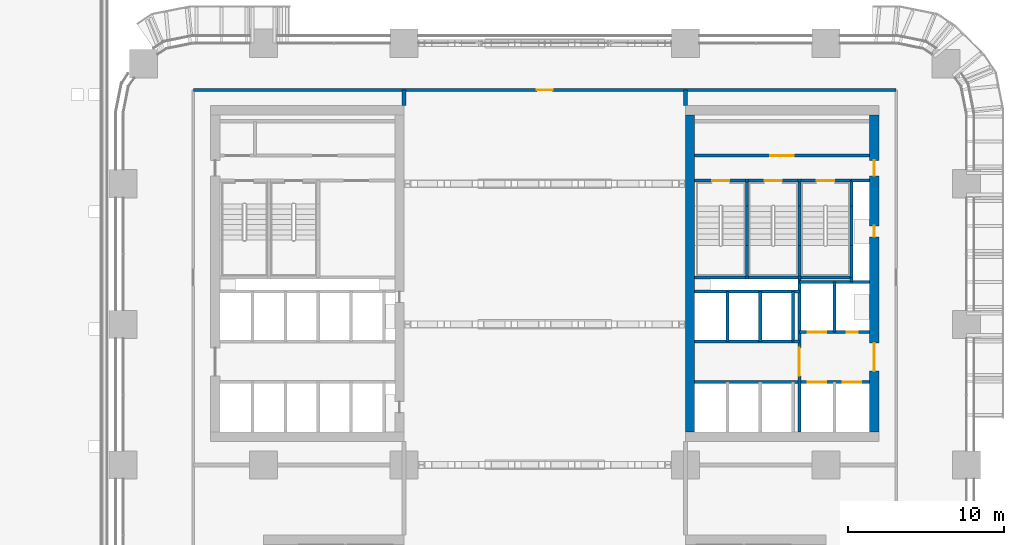
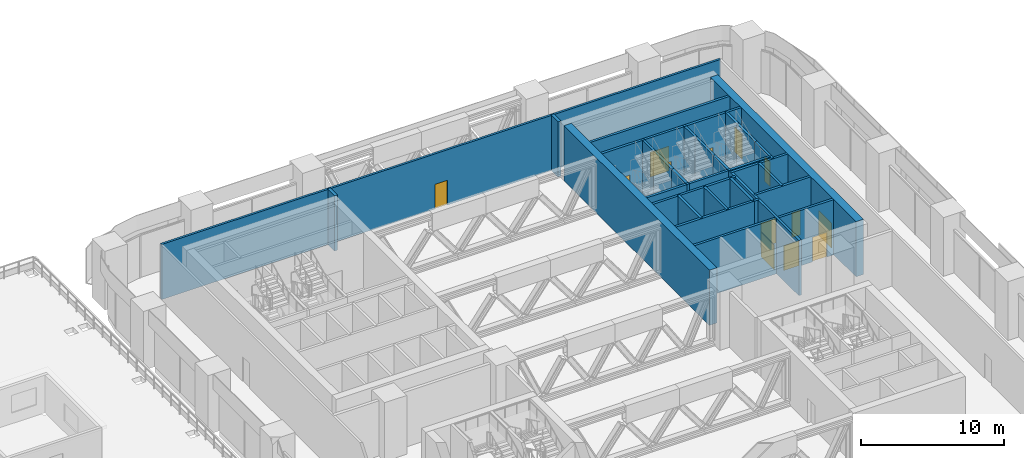
# One storey, part 25 of 35: 38 walls, 13 doors, 13 openings.
"""IFC4 building model written with IfcOpenShell, lengths in metres."""

import ifcopenshell
import ifcopenshell.guid

model = None  # the IFC model being written
_history = None  # IfcOwnerHistory: only IFC2X3 demands one
_inside = {}  # id of a spatial element -> (the spatial element, [elements in it])
_under = {}  # id of a project, library or spatial element -> (it, [spatial elements below it])
_declared = {}  # id of a project -> (the project, [libraries it declares])
_typed = {}  # id of a type object -> (the type object, [elements of that type])
_made_of = {}  # id of a material, layer set ... -> (it, [elements and type objects made of it])


def new_model(schema):
    """Start an empty IFC model of exactly this schema.

    Asked for "IFC4X3", IfcOpenShell would pick the latest addendum, in which some entities
    have other attributes; the version numbers below select the first issue.
    IFC2X3 requires an IfcOwnerHistory on every rooted entity: one is made here for all.
    """
    global model, _history
    if schema == "IFC4X3":
        model = ifcopenshell.file(schema_version=(4, 3, 0, 0))
    else:
        model = ifcopenshell.file(schema=schema)
    _inside.clear()
    _under.clear()
    _declared.clear()
    _typed.clear()
    _made_of.clear()
    _history = None
    if model.schema == "IFC2X3":
        org = make("IfcOrganization", Name="unknown")
        user = make(
            "IfcPersonAndOrganization",
            ThePerson=make("IfcPerson", FamilyName="unknown"),
            TheOrganization=org,
        )
        app = make(
            "IfcApplication",
            ApplicationDeveloper=org,
            Version="unknown",
            ApplicationFullName="unknown",
            ApplicationIdentifier="unknown",
        )
        _history = make(
            "IfcOwnerHistory",
            OwningUser=user,
            OwningApplication=app,
            ChangeAction="ADDED",
            CreationDate=0,
        )
    return model


def make(cls, **values):
    """One entity of the class cls with the attributes given. An attribute that is None is left unset."""
    return model.create_entity(
        cls, **{name: value for name, value in values.items() if value is not None}
    )


def rooted(cls, **values):
    """An entity with a GlobalId (a new one), such as an element, a storey or a relation."""
    return make(cls, GlobalId=ifcopenshell.guid.new(), OwnerHistory=_history, **values)


def si_unit(unit_type, name, prefix=None):
    """IfcSIUnit, for example si_unit("LENGTHUNIT", "METRE", prefix="MILLI")."""
    return make("IfcSIUnit", UnitType=unit_type, Prefix=prefix, Name=name)


def assignment(units):
    """IfcUnitAssignment: the units of a project."""
    return None if units is None else make("IfcUnitAssignment", Units=units)


def point(xyz):
    """IfcCartesianPoint."""
    return None if xyz is None else make("IfcCartesianPoint", Coordinates=xyz)


def direction(xyz):
    """IfcDirection."""
    return None if xyz is None else make("IfcDirection", DirectionRatios=xyz)


def frame(location, z_axis=None, x_axis=None):
    """IfcAxis2Placement3D, a coordinate frame: its origin and axes. An axis left out is left unset."""
    return make(
        "IfcAxis2Placement3D",
        Location=point(location),
        Axis=direction(z_axis),
        RefDirection=direction(x_axis),
    )


def frame_2d(location, x_axis=None):
    """IfcAxis2Placement2D, a coordinate frame in the plane: its origin and x axis."""
    return make(
        "IfcAxis2Placement2D", Location=point(location), RefDirection=direction(x_axis)
    )


def origin():
    """The frame at (0, 0, 0) with its axes left unset."""
    return frame((0.0, 0.0, 0.0))


def place(relative_to, where):
    """IfcLocalPlacement: puts the frame where relative to a parent placement (None: the world)."""
    return make(
        "IfcLocalPlacement", PlacementRelTo=relative_to, RelativePlacement=where
    )


def context(
    kind, dimensions, precision=None, world=None, true_north=None, identifier=None
):
    """IfcGeometricRepresentationContext, for example the 3D "Model" context."""
    return make(
        "IfcGeometricRepresentationContext",
        ContextIdentifier=identifier,
        ContextType=kind,
        CoordinateSpaceDimension=dimensions,
        Precision=precision,
        WorldCoordinateSystem=world,
        TrueNorth=true_north,
    )


def subcontext(parent, identifier, kind, view, scale=None):
    """IfcGeometricRepresentationSubContext, for example "Body" below "Model"."""
    return make(
        "IfcGeometricRepresentationSubContext",
        ContextIdentifier=identifier,
        ContextType=kind,
        ParentContext=parent,
        TargetScale=scale,
        TargetView=view,
    )


def project(units=None, contexts=None):
    """IfcProject with its units and contexts."""
    return rooted(
        "IfcProject",
        Name="project",
        RepresentationContexts=contexts,
        UnitsInContext=assignment(units),
    )


def spatial(cls, under=None, at=None, **own):
    """A site, building, storey or space (cls), placed at a placement, below another one or the project."""
    s = rooted(cls, ObjectPlacement=at, **own)
    if under is not None:
        _under.setdefault(under.id(), (under, []))[1].append(s)
    return s


def profile(cls, at=None, kind="AREA", **sizes):
    """A parametric profile (cls). Its sizes go by their IFC names, for example OverallWidth=200.0."""
    return make(cls, ProfileType=kind, Position=at, **sizes)


def rectangle(**sizes):
    """IfcRectangleProfileDef."""
    return profile("IfcRectangleProfileDef", **sizes)


def extrude(swept, where, along, depth):
    """IfcExtrudedAreaSolid: the profile swept, set in the frame where, extruded along a direction by depth."""
    return make(
        "IfcExtrudedAreaSolid",
        SweptArea=swept,
        Position=where,
        ExtrudedDirection=direction(along),
        Depth=depth,
    )


def shape(context_of_items, identifier, shape_type, items):
    """IfcShapeRepresentation: the items that make up one representation, for example the "Body"."""
    return make(
        "IfcShapeRepresentation",
        ContextOfItems=context_of_items,
        RepresentationIdentifier=identifier,
        RepresentationType=shape_type,
        Items=items,
    )


def material(Name=None, Category=None):
    """IfcMaterial."""
    return make("IfcMaterial", Name=Name, Category=Category)


def layer(
    of_material, thickness, ventilated=None, Name=None, Category=None, Priority=None
):
    """IfcMaterialLayer: one layer of a wall or slab, of a material (None: an air gap)."""
    return make(
        "IfcMaterialLayer",
        Material=of_material,
        LayerThickness=thickness,
        IsVentilated=ventilated,
        Name=Name,
        Category=Category,
        Priority=Priority,
    )


def layer_set(layers, Name=None):
    """IfcMaterialLayerSet."""
    return make("IfcMaterialLayerSet", MaterialLayers=layers, LayerSetName=Name)


def made_of(thing, what):
    """Note that an element or type object is made of a material, layer set ...; save() writes the relation."""
    if what is not None:
        _made_of.setdefault(what.id(), (what, []))[1].append(thing)
    return thing


def type_object(cls, material=None, **own):
    """A type object (cls), such as IfcWallType, which elements share."""
    return made_of(rooted(cls, **own), material)


def element(
    cls,
    number,
    at=None,
    inside=None,
    cuts=None,
    type_object=None,
    material=None,
    context=None,
    identifier="Body",
    shape_type=None,
    held_by="IfcProductDefinitionShape",
    body=None,
    shapes=None,
    **own,
):
    """One element of the class cls, such as IfcWall. Its Tag is "e" and its number.

    at: its placement. inside: the storey or other place that contains it. cuts: it is an
    opening in that element (IfcRelVoidsElement). A single representation is given by context,
    identifier, shape_type and body (its items); several are given by shapes. held_by: the class
    of the entity that holds the representations. save() writes the other relations.
    """
    e = rooted(cls, Tag="e%d" % number, ObjectPlacement=at, **own)
    if body is not None:
        shapes = [shape(context, identifier, shape_type, body)]
    if shapes is not None:
        e.Representation = make(held_by, Representations=shapes)
    if inside is not None:
        _inside.setdefault(inside.id(), (inside, []))[1].append(e)
    if cuts is not None:
        rooted(
            "IfcRelVoidsElement", RelatingBuildingElement=cuts, RelatedOpeningElement=e
        )
    if type_object is not None:
        _typed.setdefault(type_object.id(), (type_object, []))[1].append(e)
    return made_of(e, material)


def fill(opening, filler):
    """IfcRelFillsElement: the door or window that sits in an opening."""
    return rooted(
        "IfcRelFillsElement",
        RelatingOpeningElement=opening,
        RelatedBuildingElement=filler,
    )


def aggregate(whole, parts):
    """IfcRelAggregates: a whole, such as a stair, and the parts it consists of."""
    return rooted("IfcRelAggregates", RelatingObject=whole, RelatedObjects=parts)


def save(model, path):
    """Write the relations noted so far, then the file.

    IfcRelAggregates (storeys below a building ...), IfcRelContainedInSpatialStructure (elements
    in a storey), IfcRelDefinesByType, IfcRelAssociatesMaterial and IfcRelDeclares: one each for
    every whole, place, type object, material and project.
    """
    for whole, parts in _under.values():
        aggregate(whole, parts)
    for where, things in _inside.values():
        rooted(
            "IfcRelContainedInSpatialStructure",
            RelatedElements=things,
            RelatingStructure=where,
        )
    for kind, things in _typed.values():
        rooted("IfcRelDefinesByType", RelatedObjects=things, RelatingType=kind)
    for what, things in _made_of.values():
        rooted("IfcRelAssociatesMaterial", RelatedObjects=things, RelatingMaterial=what)
    for by, libraries in _declared.values():
        rooted("IfcRelDeclares", RelatingContext=by, RelatedDefinitions=libraries)
    model.write(path)


model = new_model("IFC4")

# Units and contexts
model_context = context("Model", 3, precision=1e-05, world=origin(), true_north=direction((0.0, 1.0)))
body_context = subcontext(model_context, "Body", "Model", "MODEL_VIEW")
ifc_project = project(units=[si_unit("LENGTHUNIT", "METRE"), si_unit("AREAUNIT", "SQUARE_METRE"), si_unit("VOLUMEUNIT", "CUBIC_METRE"), si_unit("PLANEANGLEUNIT", "RADIAN"), si_unit("MASSUNIT", "GRAM", prefix="KILO")], contexts=[model_context])

# Site, building, storey
site_placement = place(None, origin())
site = spatial("IfcSite", under=ifc_project, at=site_placement, CompositionType="ELEMENT")
building_placement = place(site_placement, origin())
building = spatial("IfcBuilding", under=site, at=building_placement, Name="Tessera Arch", CompositionType="ELEMENT")
storey_placement = place(building_placement, frame((0.0, 0.0, 26.0)))
storey = spatial("IfcBuildingStorey", under=building, at=storey_placement, Name="L04", CompositionType="ELEMENT", Elevation=26.0)

# Wall
ifc_material_1 = material(Name="Gypsum board on steel stud", Category="steel")
ifc_layer_1 = layer(ifc_material_1, 0.125)
ifc_layer_set_1 = layer_set([ifc_layer_1], Name="Core partition 125 EI 60")
wall_type_1 = type_object("IfcWallType", Name="Core partition 125 EI 60", PredefinedType="PARTITIONING", material=ifc_layer_set_1)
wall_1_placement = place(storey_placement, frame((42.89990234375, 34.89990234375, 0.0), z_axis=(0.0, 0.0, 1.0), x_axis=(1.0, 0.0, 0.0)))
element("IfcWall", 1, at=wall_1_placement, inside=storey, type_object=wall_type_1, Name="L04 C1 partition wall 21", PredefinedType="PARTITIONING", context=body_context, shape_type="SweptSolid", body=[
    extrude(rectangle(XDim=0.400146484375, YDim=0.199951171875, at=frame_2d((0.2001953125, 0.0))), origin(), (0.0, 0.0, 1.0), 4.699951171875),
])

# Wall, opening, door
wall_2_placement = place(storey_placement, frame((36.60009765625, 46.800048828125, 0.0), z_axis=(0.0, 0.0, 1.0), x_axis=(1.0, 0.0, 0.0)))
wall_2 = element("IfcWall", 2, at=wall_2_placement, inside=storey, type_object=wall_type_1, Name="L04 C1 partition wall 37", PredefinedType="PARTITIONING", context=body_context, shape_type="SweptSolid", body=[
    extrude(rectangle(XDim=11.199951171875, YDim=0.199951171875, at=frame_2d((5.60009765625, 0.0))), origin(), (0.0, 0.0, 1.0), 4.699951171875),
])
opening_1_placement = place(wall_2_placement, frame((4.85009765625, 0.0, 0.0)))
opening_1 = element("IfcOpeningElement", 3, at=opening_1_placement, cuts=wall_2, Name="Opening L04-C12", PredefinedType="OPENING", context=body_context, shape_type="SweptSolid", body=[
    extrude(rectangle(XDim=1.5, YDim=2.10009765625, at=frame_2d((0.75, 1.050048828125))), frame((0.0, 0.10986328125, 0.0), z_axis=(0.0, -1.0, 0.0), x_axis=(1.0, 0.0, 0.0)), (0.0, 0.0, 1.0), 0.219970703125),
])
ifc_material_2 = material(Name="Steel door leaf", Category="steel")
door_type_1 = type_object("IfcDoorType", Name="Plant door FD60 1500 x 2100", OperationType="DOUBLE_DOOR_SINGLE_SWING", PredefinedType="DOOR", material=ifc_material_2)
door_1_placement = place(opening_1_placement, origin())
door_1 = element("IfcDoor", 4, at=door_1_placement, inside=storey, type_object=door_type_1, Name="L04 C1 door 12 C12 type D08", OperationType="DOUBLE_DOOR_SINGLE_SWING", OverallHeight=2.10009765625, OverallWidth=1.5, PredefinedType="DOOR", context=body_context, shape_type="SweptSolid", body=[
    extrude(rectangle(XDim=1.5, YDim=2.10009765625, at=frame_2d((0.75, 1.050048828125))), frame((0.0, 0.02490234375, 0.0), z_axis=(0.0, -1.0, 0.0), x_axis=(1.0, 0.0, 0.0)), (0.0, 0.0, 1.0), 0.050048828125),
])
fill(opening_1, door_1)

# Wall
ifc_material_3 = material(Name="Concrete C70/85", Category="concrete")
ifc_layer_2 = layer(ifc_material_3, 0.60009765625)
ifc_layer_set_2 = layer_set([ifc_layer_2], Name="Core shell wall 600 C70-85")
wall_type_2 = type_object("IfcWallType", Name="Core shell wall 600 C70-85", PredefinedType="SHEAR", material=ifc_layer_set_2)
wall_3_placement = place(storey_placement, frame((36.300048828125, 29.10009765625, 0.0), z_axis=(0.0, 0.0, 1.0), x_axis=(0.0, 1.0, 0.0)))
element("IfcWall", 5, at=wall_3_placement, inside=storey, type_object=wall_type_2, Name="L04 C1 core wall W", PredefinedType="SHEAR", context=body_context, shape_type="SweptSolid", body=[
    extrude(rectangle(XDim=20.2998046875, YDim=0.60009765625, at=frame_2d((10.14990234375, 0.0))), origin(), (0.0, 0.0, 1.0), 4.699951171875),
])

# Wall, openings, doors
wall_4_placement = place(storey_placement, frame((48.10009765625, 29.10009765625, 0.0), z_axis=(0.0, 0.0, 1.0), x_axis=(0.0, 1.0, 0.0)))
wall_4 = element("IfcWall", 6, at=wall_4_placement, inside=storey, type_object=wall_type_2, Name="L04 C1 core wall E", PredefinedType="SHEAR", context=body_context, shape_type="SweptSolid", body=[
    extrude(rectangle(XDim=20.2998046875, YDim=0.60009765625, at=frame_2d((10.14990234375, 0.0))), origin(), (0.0, 0.0, 1.0), 4.699951171875),
])
opening_2_placement = place(wall_4_placement, frame((12.5, 0.0, 0.0)))
opening_2 = element("IfcOpeningElement", 7, at=opening_2_placement, cuts=wall_4, Name="Opening L04-C08", PredefinedType="OPENING", context=body_context, shape_type="SweptSolid", body=[
    extrude(rectangle(XDim=0.699951171875, YDim=2.10009765625, at=frame_2d((0.35009765625, 1.050048828125))), frame((0.0, 0.31005859375, 0.0), z_axis=(0.0, -1.0, 0.0), x_axis=(1.0, 0.0, 0.0)), (0.0, 0.0, 1.0), 0.6201171875),
])
opening_3_placement = place(wall_4_placement, frame((3.89990234375, 0.0, 0.0)))
opening_3 = element("IfcOpeningElement", 8, at=opening_3_placement, cuts=wall_4, Name="Opening L04-C09", PredefinedType="OPENING", context=body_context, shape_type="SweptSolid", body=[
    extrude(rectangle(XDim=1.800048828125, YDim=2.10009765625, at=frame_2d((0.89990234375, 1.050048828125))), frame((0.0, 0.31005859375, 0.0), z_axis=(0.0, -1.0, 0.0), x_axis=(1.0, 0.0, 0.0)), (0.0, 0.0, 1.0), 0.6201171875),
])
opening_4_placement = place(wall_4_placement, frame((16.39990234375, 0.0, 0.0)))
opening_4 = element("IfcOpeningElement", 9, at=opening_4_placement, cuts=wall_4, Name="Opening L04-C11", PredefinedType="OPENING", context=body_context, shape_type="SweptSolid", body=[
    extrude(rectangle(XDim=1.0, YDim=2.10009765625, at=frame_2d((0.5, 1.050048828125))), frame((0.0, 0.31005859375, 0.0), z_axis=(0.0, -1.0, 0.0), x_axis=(1.0, 0.0, 0.0)), (0.0, 0.0, 1.0), 0.6201171875),
])
ifc_material_4 = material(Name="Steel door leaf", Category="steel")
door_type_2 = type_object("IfcDoorType", Name="Corridor door FD60 1000 x 2100", OperationType="SINGLE_SWING_LEFT", PredefinedType="DOOR", material=ifc_material_4)
door_2_placement = place(opening_4_placement, origin())
door_2 = element("IfcDoor", 10, at=door_2_placement, inside=storey, type_object=door_type_2, Name="L04 C1 door 11 C11 type D12", OperationType="SINGLE_SWING_RIGHT", OverallHeight=2.10009765625, OverallWidth=1.0, PredefinedType="DOOR", context=body_context, shape_type="SweptSolid", body=[
    extrude(rectangle(XDim=1.0, YDim=2.10009765625, at=frame_2d((0.5, 1.050048828125))), frame((0.0, 0.02490234375, 0.0), z_axis=(0.0, -1.0, 0.0), x_axis=(1.0, 0.0, 0.0)), (0.0, 0.0, 1.0), 0.050048828125),
])
fill(opening_4, door_2)
ifc_material_5 = material(Name="Glazed steel door leaf", Category="steel")
door_type_3 = type_object("IfcDoorType", Name="Lobby double door FD60 1800 x 2100", OperationType="DOUBLE_DOOR_SINGLE_SWING", PredefinedType="DOOR", material=ifc_material_5)
door_3_placement = place(opening_3_placement, origin())
door_3 = element("IfcDoor", 11, at=door_3_placement, inside=storey, type_object=door_type_3, Name="L04 C1 door 9 C09 type D19", OperationType="DOUBLE_DOOR_SINGLE_SWING", OverallHeight=2.10009765625, OverallWidth=1.800048828125, PredefinedType="DOOR", context=body_context, shape_type="SweptSolid", body=[
    extrude(rectangle(XDim=1.800048828125, YDim=2.10009765625, at=frame_2d((0.89990234375, 1.050048828125))), frame((0.0, 0.02490234375, 0.0), z_axis=(0.0, -1.0, 0.0), x_axis=(1.0, 0.0, 0.0)), (0.0, 0.0, 1.0), 0.050048828125),
])
fill(opening_3, door_3)
ifc_material_6 = material(Name="Steel door leaf", Category="steel")
door_type_4 = type_object("IfcDoorType", Name="Service shaft door FD60 700 x 2100", OperationType="SINGLE_SWING_LEFT", PredefinedType="DOOR", material=ifc_material_6)
door_4_placement = place(opening_2_placement, origin())
door_4 = element("IfcDoor", 12, at=door_4_placement, inside=storey, type_object=door_type_4, Name="L04 C1 door 8 C08 type D07", OperationType="SINGLE_SWING_RIGHT", OverallHeight=2.10009765625, OverallWidth=0.699951171875, PredefinedType="DOOR", context=body_context, shape_type="SweptSolid", body=[
    extrude(rectangle(XDim=0.699951171875, YDim=2.10009765625, at=frame_2d((0.35009765625, 1.050048828125))), frame((0.0, 0.02490234375, 0.0), z_axis=(0.0, -1.0, 0.0), x_axis=(1.0, 0.0, 0.0)), (0.0, 0.0, 1.0), 0.050048828125),
])
fill(opening_2, door_4)

# Wall, opening, door
ifc_material_7 = material(Name="Gypsum board on deep steel stud with mineral wool", Category="steel")
ifc_layer_3 = layer(ifc_material_7, 0.175048828125)
ifc_layer_set_3 = layer_set([ifc_layer_3], Name="Corridor wall 175 EI 60")
wall_type_3 = type_object("IfcWallType", Name="Corridor wall 175 EI 60", PredefinedType="PARTITIONING", material=ifc_layer_set_3)
wall_5_placement = place(storey_placement, frame((4.5, 51.0, 0.0), z_axis=(0.0, 0.0, 1.0), x_axis=(1.0, 0.0, 0.0)))
wall_5 = element("IfcWall", 13, at=wall_5_placement, inside=storey, type_object=wall_type_3, Name="L04 partition 1", PredefinedType="PARTITIONING", context=body_context, shape_type="SweptSolid", body=[
    extrude(rectangle(XDim=45.0, YDim=0.175048828125, at=frame_2d((22.5, 0.0))), origin(), (0.0, 0.0, 1.0), 4.699951171875),
])
opening_5_placement = place(wall_5_placement, frame((22.0, 0.0, 0.0)))
opening_5 = element("IfcOpeningElement", 14, at=opening_5_placement, cuts=wall_5, Name="Opening L04-D005", PredefinedType="OPENING", context=body_context, shape_type="SweptSolid", body=[
    extrude(rectangle(XDim=1.0, YDim=2.10009765625, at=frame_2d((0.5, 1.050048828125))), frame((0.0, 0.097412109375, 0.0), z_axis=(0.0, -1.0, 0.0), x_axis=(1.0, 0.0, 0.0)), (0.0, 0.0, 1.0), 0.195068359375),
])
ifc_material_8 = material(Name="Fire-rated door leaf")
door_type_5 = type_object("IfcDoorType", Name="Entrance door FD60 1000 x 2100", OperationType="SINGLE_SWING_LEFT", PredefinedType="DOOR", material=ifc_material_8)
door_5_placement = place(opening_5_placement, origin())
door_5 = element("IfcDoor", 15, at=door_5_placement, inside=storey, type_object=door_type_5, Name="L04 door D005 type D16", OperationType="SINGLE_SWING_LEFT", OverallHeight=2.10009765625, OverallWidth=1.0, PredefinedType="DOOR", context=body_context, shape_type="SweptSolid", body=[
    extrude(rectangle(XDim=1.0, YDim=2.10009765625, at=frame_2d((0.5, 1.050048828125))), frame((0.0, 0.02490234375, 0.0), z_axis=(0.0, -1.0, 0.0), x_axis=(1.0, 0.0, 0.0)), (0.0, 0.0, 1.0), 0.050048828125),
])
fill(opening_5, door_5)

# Walls
ifc_material_9 = material(Name="Double gypsum board on twin steel stud with acoustic mineral wool", Category="steel")
ifc_layer_4 = layer(ifc_material_9, 0.25)
ifc_layer_set_4 = layer_set([ifc_layer_4], Name="Party wall 250 EI 60")
wall_type_4 = type_object("IfcWallType", Name="Party wall 250 EI 60", PredefinedType="PARTITIONING", material=ifc_layer_set_4)
for number, where, z_axis, x_axis, name in (
    (16, (18.0, 50.0, 0.0), (0.0, 0.0, 1.0), (0.0, 1.0, 0.0), "L04 partition 8"),
    (17, (36.0, 50.0, 0.0), (0.0, 0.0, 1.0), (0.0, 1.0, 0.0), "L04 partition 11"),
):
    element("IfcWall", number, at=place(storey_placement, frame(where, z_axis=z_axis, x_axis=x_axis)), inside=storey, type_object=wall_type_4, Name=name, PredefinedType="PARTITIONING", context=body_context, shape_type="SweptSolid", body=[
        extrude(rectangle(XDim=1.0, YDim=0.25, at=frame_2d((0.5, 0.0))), origin(), (0.0, 0.0, 1.0), 4.699951171875),
    ])
ifc_material_10 = material(Name="Concrete C40/50", Category="concrete")
ifc_layer_5 = layer(ifc_material_10, 0.199951171875)
ifc_layer_set_5 = layer_set([ifc_layer_5], Name="Shaft wall 200 EI 120")
wall_type_5 = type_object("IfcWallType", Name="Shaft wall 200 EI 120", PredefinedType="SOLIDWALL", material=ifc_layer_set_5)
for number, where, z_axis, x_axis, name in (
    (18, (38.699951171875, 34.89990234375, 0.0), (0.0, 0.0, 1.0), (0.0, 1.0, 0.0), "L04 C1 shaft wall 2"),
    (19, (40.800048828125, 34.89990234375, 0.0), (0.0, 0.0, 1.0), (0.0, 1.0, 0.0), "L04 C1 shaft wall 7"),
    (20, (42.89990234375, 34.89990234375, 0.0), (0.0, 0.0, 1.0), (0.0, 1.0, 0.0), "L04 C1 shaft wall 9"),
):
    element("IfcWall", number, at=place(storey_placement, frame(where, z_axis=z_axis, x_axis=x_axis)), inside=storey, type_object=wall_type_5, Name=name, PredefinedType="SOLIDWALL", context=body_context, shape_type="SweptSolid", body=[
        extrude(rectangle(XDim=3.2001953125, YDim=0.199951171875, at=frame_2d((1.60009765625, 0.0))), origin(), (0.0, 0.0, 1.0), 4.699951171875),
    ])

# Wall, opening, door
wall_6_placement = place(storey_placement, frame((43.300048828125, 29.10009765625, 0.0), z_axis=(0.0, 0.0, 1.0), x_axis=(0.0, 1.0, 0.0)))
wall_6 = element("IfcWall", 21, at=wall_6_placement, inside=storey, type_object=wall_type_5, Name="L04 C1 shaft wall 10", PredefinedType="SOLIDWALL", context=body_context, shape_type="SweptSolid", body=[
    extrude(rectangle(XDim=9.89990234375, YDim=0.199951171875, at=frame_2d((4.949951171875, 0.0))), origin(), (0.0, 0.0, 1.0), 4.699951171875),
])
opening_6_placement = place(wall_6_placement, frame((3.60009765625, 0.0, 0.0)))
opening_6 = element("IfcOpeningElement", 22, at=opening_6_placement, cuts=wall_6, Name="Opening L04-C04", PredefinedType="OPENING", context=body_context, shape_type="SweptSolid", body=[
    extrude(rectangle(XDim=1.800048828125, YDim=2.10009765625, at=frame_2d((0.89990234375, 1.050048828125))), frame((0.0, 0.10986328125, 0.0), z_axis=(0.0, -1.0, 0.0), x_axis=(1.0, 0.0, 0.0)), (0.0, 0.0, 1.0), 0.219970703125),
])
door_6_placement = place(opening_6_placement, origin())
door_6 = element("IfcDoor", 23, at=door_6_placement, inside=storey, type_object=door_type_3, Name="L04 C1 door 4 C04 type D19", OperationType="DOUBLE_DOOR_SINGLE_SWING", OverallHeight=2.10009765625, OverallWidth=1.800048828125, PredefinedType="DOOR", context=body_context, shape_type="SweptSolid", body=[
    extrude(rectangle(XDim=1.800048828125, YDim=2.10009765625, at=frame_2d((0.89990234375, 1.050048828125))), frame((0.0, 0.02490234375, 0.0), z_axis=(0.0, -1.0, 0.0), x_axis=(1.0, 0.0, 0.0)), (0.0, 0.0, 1.0), 0.050048828125),
])
fill(opening_6, door_6)

# Walls
wall_7_placement = place(storey_placement, frame((45.550048828125, 35.5, 0.0), z_axis=(0.0, 0.0, 1.0), x_axis=(0.0, 1.0, 0.0)))
element("IfcWall", 24, at=wall_7_placement, inside=storey, type_object=wall_type_5, Name="L04 C1 shaft wall 15", PredefinedType="SOLIDWALL", context=body_context, shape_type="SweptSolid", body=[
    extrude(rectangle(XDim=3.199951171875, YDim=0.199951171875, at=frame_2d((1.60009765625, 0.0))), origin(), (0.0, 0.0, 1.0), 4.699951171875),
])
wall_8_placement = place(storey_placement, frame((46.64990234375, 38.699951171875, 0.0), z_axis=(0.0, 0.0, 1.0), x_axis=(0.0, 1.0, 0.0)))
element("IfcWall", 25, at=wall_8_placement, inside=storey, type_object=wall_type_5, Name="L04 C1 shaft wall 16", PredefinedType="SOLIDWALL", context=body_context, shape_type="SweptSolid", body=[
    extrude(rectangle(XDim=0.300048828125, YDim=0.199951171875, at=frame_2d((0.14990234375, 0.0))), origin(), (0.0, 0.0, 1.0), 4.699951171875),
])

# Wall, openings, doors
wall_9_placement = place(storey_placement, frame((36.60009765625, 32.300048828125, 0.0), z_axis=(0.0, 0.0, 1.0), x_axis=(1.0, 0.0, 0.0)))
wall_9 = element("IfcWall", 26, at=wall_9_placement, inside=storey, type_object=wall_type_5, Name="L04 C1 shaft wall 20", PredefinedType="SOLIDWALL", context=body_context, shape_type="SweptSolid", body=[
    extrude(rectangle(XDim=11.199951171875, YDim=0.199951171875, at=frame_2d((5.60009765625, 0.0))), origin(), (0.0, 0.0, 1.0), 4.699951171875),
])
opening_7_placement = place(wall_9_placement, frame((7.22509765625, 0.0, 0.0)))
opening_7 = element("IfcOpeningElement", 27, at=opening_7_placement, cuts=wall_9, Name="Opening L04-C01", PredefinedType="OPENING", context=body_context, shape_type="SweptSolid", body=[
    extrude(rectangle(XDim=1.199951171875, YDim=2.10009765625, at=frame_2d((0.60009765625, 1.050048828125))), frame((0.0, 0.10986328125, 0.0), z_axis=(0.0, -1.0, 0.0), x_axis=(1.0, 0.0, 0.0)), (0.0, 0.0, 1.0), 0.219970703125),
])
opening_8_placement = place(wall_9_placement, frame((9.47509765625, 0.0, 0.0)))
opening_8 = element("IfcOpeningElement", 28, at=opening_8_placement, cuts=wall_9, Name="Opening L04-C02", PredefinedType="OPENING", context=body_context, shape_type="SweptSolid", body=[
    extrude(rectangle(XDim=1.199951171875, YDim=2.10009765625, at=frame_2d((0.60009765625, 1.050048828125))), frame((0.0, 0.10986328125, 0.0), z_axis=(0.0, -1.0, 0.0), x_axis=(1.0, 0.0, 0.0)), (0.0, 0.0, 1.0), 0.219970703125),
])
ifc_material_11 = material(Name="Stainless steel AISI 304", Category="steel")
door_type_6 = type_object("IfcDoorType", Name="Sliding landing door 1200 x 2100", OperationType="SLIDING_TO_LEFT", PredefinedType="DOOR", material=ifc_material_11)
door_7_placement = place(opening_7_placement, origin())
door_7 = element("IfcDoor", 29, at=door_7_placement, inside=storey, type_object=door_type_6, Name="L04 FF1 lift landing door C01 type LD", OperationType="SLIDING_TO_LEFT", OverallHeight=2.10009765625, OverallWidth=1.199951171875, PredefinedType="DOOR", context=body_context, shape_type="SweptSolid", body=[
    extrude(rectangle(XDim=1.199951171875, YDim=2.10009765625, at=frame_2d((0.60009765625, 1.050048828125))), frame((0.0, 0.02490234375, 0.0), z_axis=(0.0, -1.0, 0.0), x_axis=(1.0, 0.0, 0.0)), (0.0, 0.0, 1.0), 0.050048828125),
])
fill(opening_7, door_7)
door_8_placement = place(opening_8_placement, origin())
door_8 = element("IfcDoor", 30, at=door_8_placement, inside=storey, type_object=door_type_6, Name="L04 FF2 lift landing door C02 type LD", OperationType="SLIDING_TO_LEFT", OverallHeight=2.10009765625, OverallWidth=1.199951171875, PredefinedType="DOOR", context=body_context, shape_type="SweptSolid", body=[
    extrude(rectangle(XDim=1.199951171875, YDim=2.10009765625, at=frame_2d((0.60009765625, 1.050048828125))), frame((0.0, 0.02490234375, 0.0), z_axis=(0.0, -1.0, 0.0), x_axis=(1.0, 0.0, 0.0)), (0.0, 0.0, 1.0), 0.050048828125),
])
fill(opening_8, door_8)

# Wall
wall_10_placement = place(storey_placement, frame((36.60009765625, 34.89990234375, 0.0), z_axis=(0.0, 0.0, 1.0), x_axis=(1.0, 0.0, 0.0)))
element("IfcWall", 31, at=wall_10_placement, inside=storey, type_object=wall_type_5, Name="L04 C1 shaft wall 22", PredefinedType="SOLIDWALL", context=body_context, shape_type="SweptSolid", body=[
    extrude(rectangle(XDim=6.2998046875, YDim=0.199951171875, at=frame_2d((3.14990234375, 0.0))), origin(), (0.0, 0.0, 1.0), 4.699951171875),
])

# Wall, openings, doors
wall_11_placement = place(storey_placement, frame((43.300048828125, 35.5, 0.0), z_axis=(0.0, 0.0, 1.0), x_axis=(1.0, 0.0, 0.0)))
wall_11 = element("IfcWall", 32, at=wall_11_placement, inside=storey, type_object=wall_type_5, Name="L04 C1 shaft wall 23", PredefinedType="SOLIDWALL", context=body_context, shape_type="SweptSolid", body=[
    extrude(rectangle(XDim=4.5, YDim=0.199951171875, at=frame_2d((2.25, 0.0))), origin(), (0.0, 0.0, 1.0), 4.699951171875),
])
opening_9_placement = place(wall_11_placement, frame((0.52490234375, 0.0, 0.0)))
opening_9 = element("IfcOpeningElement", 33, at=opening_9_placement, cuts=wall_11, Name="Opening L04-C03", PredefinedType="OPENING", context=body_context, shape_type="SweptSolid", body=[
    extrude(rectangle(XDim=1.199951171875, YDim=2.10009765625, at=frame_2d((0.60009765625, 1.050048828125))), frame((0.0, 0.10986328125, 0.0), z_axis=(0.0, -1.0, 0.0), x_axis=(1.0, 0.0, 0.0)), (0.0, 0.0, 1.0), 0.219970703125),
])
opening_10_placement = place(wall_11_placement, frame((3.02490234375, 0.0, 0.0)))
opening_10 = element("IfcOpeningElement", 34, at=opening_10_placement, cuts=wall_11, Name="Opening L04-C10", PredefinedType="OPENING", context=body_context, shape_type="SweptSolid", body=[
    extrude(rectangle(XDim=0.699951171875, YDim=2.10009765625, at=frame_2d((0.35009765625, 1.050048828125))), frame((0.0, 0.10986328125, 0.0), z_axis=(0.0, -1.0, 0.0), x_axis=(1.0, 0.0, 0.0)), (0.0, 0.0, 1.0), 0.219970703125),
])
door_9_placement = place(opening_10_placement, origin())
door_9 = element("IfcDoor", 35, at=door_9_placement, inside=storey, type_object=door_type_4, Name="L04 C1 door 10 C10 type D07", OperationType="SINGLE_SWING_RIGHT", OverallHeight=2.10009765625, OverallWidth=0.699951171875, PredefinedType="DOOR", context=body_context, shape_type="SweptSolid", body=[
    extrude(rectangle(XDim=0.699951171875, YDim=2.10009765625, at=frame_2d((0.35009765625, 1.050048828125))), frame((0.0, 0.02490234375, 0.0), z_axis=(0.0, -1.0, 0.0), x_axis=(1.0, 0.0, 0.0)), (0.0, 0.0, 1.0), 0.050048828125),
])
fill(opening_10, door_9)
door_10_placement = place(opening_9_placement, origin())
door_10 = element("IfcDoor", 36, at=door_10_placement, inside=storey, type_object=door_type_6, Name="L04 SV2 lift landing door C03 type LD", OperationType="SLIDING_TO_LEFT", OverallHeight=2.10009765625, OverallWidth=1.199951171875, PredefinedType="DOOR", context=body_context, shape_type="SweptSolid", body=[
    extrude(rectangle(XDim=1.199951171875, YDim=2.10009765625, at=frame_2d((0.60009765625, 1.050048828125))), frame((0.0, 0.02490234375, 0.0), z_axis=(0.0, -1.0, 0.0), x_axis=(1.0, 0.0, 0.0)), (0.0, 0.0, 1.0), 0.050048828125),
])
fill(opening_9, door_10)

# Walls
wall_12_placement = place(storey_placement, frame((36.60009765625, 38.10009765625, 0.0), z_axis=(0.0, 0.0, 1.0), x_axis=(1.0, 0.0, 0.0)))
element("IfcWall", 37, at=wall_12_placement, inside=storey, type_object=wall_type_5, Name="L04 C1 shaft wall 24", PredefinedType="SOLIDWALL", context=body_context, shape_type="SweptSolid", body=[
    extrude(rectangle(XDim=6.699951171875, YDim=0.199951171875, at=frame_2d((3.35009765625, 0.0))), origin(), (0.0, 0.0, 1.0), 4.699951171875),
])
wall_13_placement = place(storey_placement, frame((43.300048828125, 38.699951171875, 0.0), z_axis=(0.0, 0.0, 1.0), x_axis=(1.0, 0.0, 0.0)))
element("IfcWall", 38, at=wall_13_placement, inside=storey, type_object=wall_type_5, Name="L04 C1 shaft wall 25", PredefinedType="SOLIDWALL", context=body_context, shape_type="SweptSolid", body=[
    extrude(rectangle(XDim=4.5, YDim=0.199951171875, at=frame_2d((2.25, 0.0))), origin(), (0.0, 0.0, 1.0), 4.699951171875),
])
wall_14_placement = place(storey_placement, frame((46.64990234375, 45.199951171875, 0.0), z_axis=(0.0, 0.0, 1.0), x_axis=(1.0, 0.0, 0.0)))
element("IfcWall", 39, at=wall_14_placement, inside=storey, type_object=wall_type_5, Name="L04 C1 shaft wall 31", PredefinedType="SOLIDWALL", context=body_context, shape_type="SweptSolid", body=[
    extrude(rectangle(XDim=1.150146484375, YDim=0.199951171875, at=frame_2d((0.5751953125, 0.0))), origin(), (0.0, 0.0, 1.0), 4.699951171875),
])
ifc_material_12 = material(Name="Concrete C40/50", Category="concrete")
ifc_layer_6 = layer(ifc_material_12, 0.199951171875)
ifc_layer_set_6 = layer_set([ifc_layer_6], Name="Stair well wall 200 REI 180")
wall_type_6 = type_object("IfcWallType", Name="Stair well wall 200 REI 180", PredefinedType="SOLIDWALL", material=ifc_layer_set_6)
wall_15_placement = place(storey_placement, frame((39.949951171875, 39.0, 0.0), z_axis=(0.0, 0.0, 1.0), x_axis=(0.0, 1.0, 0.0)))
element("IfcWall", 40, at=wall_15_placement, inside=storey, type_object=wall_type_6, Name="L04 C1 shaft wall 3", PredefinedType="SOLIDWALL", context=body_context, shape_type="SweptSolid", body=[
    extrude(rectangle(XDim=2.06005859375, YDim=0.199951171875, at=frame_2d((1.030029296875, 0.0))), origin(), (0.0, 0.0, 1.0), 4.699951171875),
])
wall_16_placement = place(storey_placement, frame((39.949951171875, 41.06005859375, 0.0), z_axis=(0.0, 0.0, 1.0), x_axis=(0.0, 1.0, 0.0)))
element("IfcWall", 41, at=wall_16_placement, inside=storey, type_object=wall_type_6, Name="L04 C1 shaft wall 4", PredefinedType="SOLIDWALL", context=body_context, shape_type="SweptSolid", body=[
    extrude(rectangle(XDim=2.52001953125, YDim=0.199951171875, at=frame_2d((1.260009765625, 0.0))), origin(), (0.0, 0.0, 1.0), 4.699951171875),
])
wall_17_placement = place(storey_placement, frame((39.949951171875, 43.580078125, 0.0), z_axis=(0.0, 0.0, 1.0), x_axis=(0.0, 1.0, 0.0)))
element("IfcWall", 42, at=wall_17_placement, inside=storey, type_object=wall_type_6, Name="L04 C1 shaft wall 5", PredefinedType="SOLIDWALL", context=body_context, shape_type="SweptSolid", body=[
    extrude(rectangle(XDim=1.619873046875, YDim=0.199951171875, at=frame_2d((0.81005859375, 0.0))), origin(), (0.0, 0.0, 1.0), 4.699951171875),
])
wall_18_placement = place(storey_placement, frame((43.300048828125, 39.0, 0.0), z_axis=(0.0, 0.0, 1.0), x_axis=(0.0, 1.0, 0.0)))
element("IfcWall", 43, at=wall_18_placement, inside=storey, type_object=wall_type_6, Name="L04 C1 shaft wall 11", PredefinedType="SOLIDWALL", context=body_context, shape_type="SweptSolid", body=[
    extrude(rectangle(XDim=2.06005859375, YDim=0.199951171875, at=frame_2d((1.030029296875, 0.0))), origin(), (0.0, 0.0, 1.0), 4.699951171875),
])
wall_19_placement = place(storey_placement, frame((43.300048828125, 41.06005859375, 0.0), z_axis=(0.0, 0.0, 1.0), x_axis=(0.0, 1.0, 0.0)))
element("IfcWall", 44, at=wall_19_placement, inside=storey, type_object=wall_type_6, Name="L04 C1 shaft wall 12", PredefinedType="SOLIDWALL", context=body_context, shape_type="SweptSolid", body=[
    extrude(rectangle(XDim=2.52001953125, YDim=0.199951171875, at=frame_2d((1.260009765625, 0.0))), origin(), (0.0, 0.0, 1.0), 4.699951171875),
])
wall_20_placement = place(storey_placement, frame((43.300048828125, 43.580078125, 0.0), z_axis=(0.0, 0.0, 1.0), x_axis=(0.0, 1.0, 0.0)))
element("IfcWall", 45, at=wall_20_placement, inside=storey, type_object=wall_type_6, Name="L04 C1 shaft wall 13", PredefinedType="SOLIDWALL", context=body_context, shape_type="SweptSolid", body=[
    extrude(rectangle(XDim=1.619873046875, YDim=0.199951171875, at=frame_2d((0.81005859375, 0.0))), origin(), (0.0, 0.0, 1.0), 4.699951171875),
])
wall_21_placement = place(storey_placement, frame((46.64990234375, 39.0, 0.0), z_axis=(0.0, 0.0, 1.0), x_axis=(0.0, 1.0, 0.0)))
element("IfcWall", 46, at=wall_21_placement, inside=storey, type_object=wall_type_6, Name="L04 C1 shaft wall 17", PredefinedType="SOLIDWALL", context=body_context, shape_type="SweptSolid", body=[
    extrude(rectangle(XDim=2.06005859375, YDim=0.199951171875, at=frame_2d((1.030029296875, 0.0))), origin(), (0.0, 0.0, 1.0), 4.699951171875),
])
wall_22_placement = place(storey_placement, frame((46.64990234375, 41.06005859375, 0.0), z_axis=(0.0, 0.0, 1.0), x_axis=(0.0, 1.0, 0.0)))
element("IfcWall", 47, at=wall_22_placement, inside=storey, type_object=wall_type_6, Name="L04 C1 shaft wall 18", PredefinedType="SOLIDWALL", context=body_context, shape_type="SweptSolid", body=[
    extrude(rectangle(XDim=2.52001953125, YDim=0.199951171875, at=frame_2d((1.260009765625, 0.0))), origin(), (0.0, 0.0, 1.0), 4.699951171875),
])
wall_23_placement = place(storey_placement, frame((46.64990234375, 43.580078125, 0.0), z_axis=(0.0, 0.0, 1.0), x_axis=(0.0, 1.0, 0.0)))
element("IfcWall", 48, at=wall_23_placement, inside=storey, type_object=wall_type_6, Name="L04 C1 shaft wall 19", PredefinedType="SOLIDWALL", context=body_context, shape_type="SweptSolid", body=[
    extrude(rectangle(XDim=1.619873046875, YDim=0.199951171875, at=frame_2d((0.81005859375, 0.0))), origin(), (0.0, 0.0, 1.0), 4.699951171875),
])
wall_24_placement = place(storey_placement, frame((36.60009765625, 39.0, 0.0), z_axis=(0.0, 0.0, 1.0), x_axis=(1.0, 0.0, 0.0)))
element("IfcWall", 49, at=wall_24_placement, inside=storey, type_object=wall_type_6, Name="L04 C1 shaft wall 26", PredefinedType="SOLIDWALL", context=body_context, shape_type="SweptSolid", body=[
    extrude(rectangle(XDim=3.25, YDim=0.199951171875, at=frame_2d((1.625, 0.0))), origin(), (0.0, 0.0, 1.0), 4.699951171875),
])
wall_25_placement = place(storey_placement, frame((39.85009765625, 39.0, 0.0), z_axis=(0.0, 0.0, 1.0), x_axis=(1.0, 0.0, 0.0)))
element("IfcWall", 50, at=wall_25_placement, inside=storey, type_object=wall_type_6, Name="L04 C1 shaft wall 27", PredefinedType="SOLIDWALL", context=body_context, shape_type="SweptSolid", body=[
    extrude(rectangle(XDim=0.199951171875, YDim=0.199951171875, at=frame_2d((0.10009765625, 0.0))), origin(), (0.0, 0.0, 1.0), 4.699951171875),
])
wall_26_placement = place(storey_placement, frame((40.050048828125, 39.0, 0.0), z_axis=(0.0, 0.0, 1.0), x_axis=(1.0, 0.0, 0.0)))
element("IfcWall", 51, at=wall_26_placement, inside=storey, type_object=wall_type_6, Name="L04 C1 shaft wall 28", PredefinedType="SOLIDWALL", context=body_context, shape_type="SweptSolid", body=[
    extrude(rectangle(XDim=3.14990234375, YDim=0.199951171875, at=frame_2d((1.574951171875, 0.0))), origin(), (0.0, 0.0, 1.0), 4.699951171875),
])
wall_27_placement = place(storey_placement, frame((43.199951171875, 39.0, 0.0), z_axis=(0.0, 0.0, 1.0), x_axis=(1.0, 0.0, 0.0)))
element("IfcWall", 52, at=wall_27_placement, inside=storey, type_object=wall_type_6, Name="L04 C1 shaft wall 29", PredefinedType="SOLIDWALL", context=body_context, shape_type="SweptSolid", body=[
    extrude(rectangle(XDim=0.199951171875, YDim=0.199951171875, at=frame_2d((0.10009765625, 0.0))), origin(), (0.0, 0.0, 1.0), 4.699951171875),
])
wall_28_placement = place(storey_placement, frame((43.39990234375, 39.0, 0.0), z_axis=(0.0, 0.0, 1.0), x_axis=(1.0, 0.0, 0.0)))
element("IfcWall", 53, at=wall_28_placement, inside=storey, type_object=wall_type_6, Name="L04 C1 shaft wall 30", PredefinedType="SOLIDWALL", context=body_context, shape_type="SweptSolid", body=[
    extrude(rectangle(XDim=3.25, YDim=0.199951171875, at=frame_2d((1.625, 0.0))), origin(), (0.0, 0.0, 1.0), 4.699951171875),
])

# Wall, opening, door
wall_29_placement = place(storey_placement, frame((36.60009765625, 45.199951171875, 0.0), z_axis=(0.0, 0.0, 1.0), x_axis=(1.0, 0.0, 0.0)))
wall_29 = element("IfcWall", 54, at=wall_29_placement, inside=storey, type_object=wall_type_6, Name="L04 C1 shaft wall 32", PredefinedType="SOLIDWALL", context=body_context, shape_type="SweptSolid", body=[
    extrude(rectangle(XDim=3.25, YDim=0.199951171875, at=frame_2d((1.625, 0.0))), origin(), (0.0, 0.0, 1.0), 4.699951171875),
])
opening_11_placement = place(wall_29_placement, frame((1.125, 0.0, 0.0)))
opening_11 = element("IfcOpeningElement", 55, at=opening_11_placement, cuts=wall_29, Name="Opening L04-C05", PredefinedType="OPENING", context=body_context, shape_type="SweptSolid", body=[
    extrude(rectangle(XDim=1.10009765625, YDim=2.10009765625, at=frame_2d((0.550048828125, 1.050048828125))), frame((0.0, 0.10986328125, 0.0), z_axis=(0.0, -1.0, 0.0), x_axis=(1.0, 0.0, 0.0)), (0.0, 0.0, 1.0), 0.219970703125),
])
ifc_material_13 = material(Name="Steel door leaf", Category="steel")
door_type_7 = type_object("IfcDoorType", Name="Stair door FD60 1100 x 2100", OperationType="SINGLE_SWING_LEFT", PredefinedType="DOOR", material=ifc_material_13)
door_11_placement = place(opening_11_placement, origin())
door_11 = element("IfcDoor", 56, at=door_11_placement, inside=storey, type_object=door_type_7, Name="L04 C1 door 5 C05 type D05", OperationType="SINGLE_SWING_RIGHT", OverallHeight=2.10009765625, OverallWidth=1.10009765625, PredefinedType="DOOR", context=body_context, shape_type="SweptSolid", body=[
    extrude(rectangle(XDim=1.10009765625, YDim=2.10009765625, at=frame_2d((0.550048828125, 1.050048828125))), frame((0.0, 0.02490234375, 0.0), z_axis=(0.0, -1.0, 0.0), x_axis=(1.0, 0.0, 0.0)), (0.0, 0.0, 1.0), 0.050048828125),
])
fill(opening_11, door_11)

# Wall
wall_30_placement = place(storey_placement, frame((39.85009765625, 45.199951171875, 0.0), z_axis=(0.0, 0.0, 1.0), x_axis=(1.0, 0.0, 0.0)))
element("IfcWall", 57, at=wall_30_placement, inside=storey, type_object=wall_type_6, Name="L04 C1 shaft wall 33", PredefinedType="SOLIDWALL", context=body_context, shape_type="SweptSolid", body=[
    extrude(rectangle(XDim=0.199951171875, YDim=0.199951171875, at=frame_2d((0.10009765625, 0.0))), origin(), (0.0, 0.0, 1.0), 4.699951171875),
])

# Wall, opening, door
wall_31_placement = place(storey_placement, frame((40.050048828125, 45.199951171875, 0.0), z_axis=(0.0, 0.0, 1.0), x_axis=(1.0, 0.0, 0.0)))
wall_31 = element("IfcWall", 58, at=wall_31_placement, inside=storey, type_object=wall_type_6, Name="L04 C1 shaft wall 34", PredefinedType="SOLIDWALL", context=body_context, shape_type="SweptSolid", body=[
    extrude(rectangle(XDim=3.14990234375, YDim=0.199951171875, at=frame_2d((1.574951171875, 0.0))), origin(), (0.0, 0.0, 1.0), 4.699951171875),
])
opening_12_placement = place(wall_31_placement, frame((1.02490234375, 0.0, 0.0)))
opening_12 = element("IfcOpeningElement", 59, at=opening_12_placement, cuts=wall_31, Name="Opening L04-C06", PredefinedType="OPENING", context=body_context, shape_type="SweptSolid", body=[
    extrude(rectangle(XDim=1.10009765625, YDim=2.10009765625, at=frame_2d((0.550048828125, 1.050048828125))), frame((0.0, 0.10986328125, 0.0), z_axis=(0.0, -1.0, 0.0), x_axis=(1.0, 0.0, 0.0)), (0.0, 0.0, 1.0), 0.219970703125),
])
door_12_placement = place(opening_12_placement, origin())
door_12 = element("IfcDoor", 60, at=door_12_placement, inside=storey, type_object=door_type_7, Name="L04 C1 door 6 C06 type D05", OperationType="SINGLE_SWING_LEFT", OverallHeight=2.10009765625, OverallWidth=1.10009765625, PredefinedType="DOOR", context=body_context, shape_type="SweptSolid", body=[
    extrude(rectangle(XDim=1.10009765625, YDim=2.10009765625, at=frame_2d((0.550048828125, 1.050048828125))), frame((0.0, 0.02490234375, 0.0), z_axis=(0.0, -1.0, 0.0), x_axis=(1.0, 0.0, 0.0)), (0.0, 0.0, 1.0), 0.050048828125),
])
fill(opening_12, door_12)

# Wall
wall_32_placement = place(storey_placement, frame((43.199951171875, 45.199951171875, 0.0), z_axis=(0.0, 0.0, 1.0), x_axis=(1.0, 0.0, 0.0)))
element("IfcWall", 61, at=wall_32_placement, inside=storey, type_object=wall_type_6, Name="L04 C1 shaft wall 35", PredefinedType="SOLIDWALL", context=body_context, shape_type="SweptSolid", body=[
    extrude(rectangle(XDim=0.199951171875, YDim=0.199951171875, at=frame_2d((0.10009765625, 0.0))), origin(), (0.0, 0.0, 1.0), 4.699951171875),
])

# Wall, opening, door
wall_33_placement = place(storey_placement, frame((43.39990234375, 45.199951171875, 0.0), z_axis=(0.0, 0.0, 1.0), x_axis=(1.0, 0.0, 0.0)))
wall_33 = element("IfcWall", 62, at=wall_33_placement, inside=storey, type_object=wall_type_6, Name="L04 C1 shaft wall 36", PredefinedType="SOLIDWALL", context=body_context, shape_type="SweptSolid", body=[
    extrude(rectangle(XDim=3.25, YDim=0.199951171875, at=frame_2d((1.625, 0.0))), origin(), (0.0, 0.0, 1.0), 4.699951171875),
])
opening_13_placement = place(wall_33_placement, frame((1.02490234375, 0.0, 0.0)))
opening_13 = element("IfcOpeningElement", 63, at=opening_13_placement, cuts=wall_33, Name="Opening L04-C07", PredefinedType="OPENING", context=body_context, shape_type="SweptSolid", body=[
    extrude(rectangle(XDim=1.10009765625, YDim=2.10009765625, at=frame_2d((0.550048828125, 1.050048828125))), frame((0.0, 0.10986328125, 0.0), z_axis=(0.0, -1.0, 0.0), x_axis=(1.0, 0.0, 0.0)), (0.0, 0.0, 1.0), 0.219970703125),
])
door_13_placement = place(opening_13_placement, origin())
door_13 = element("IfcDoor", 64, at=door_13_placement, inside=storey, type_object=door_type_7, Name="L04 C1 door 7 C07 type D05", OperationType="SINGLE_SWING_LEFT", OverallHeight=2.10009765625, OverallWidth=1.10009765625, PredefinedType="DOOR", context=body_context, shape_type="SweptSolid", body=[
    extrude(rectangle(XDim=1.10009765625, YDim=2.10009765625, at=frame_2d((0.550048828125, 1.050048828125))), frame((0.0, 0.02490234375, 0.0), z_axis=(0.0, -1.0, 0.0), x_axis=(1.0, 0.0, 0.0)), (0.0, 0.0, 1.0), 0.050048828125),
])
fill(opening_13, door_13)

save(model, "model.ifc")
